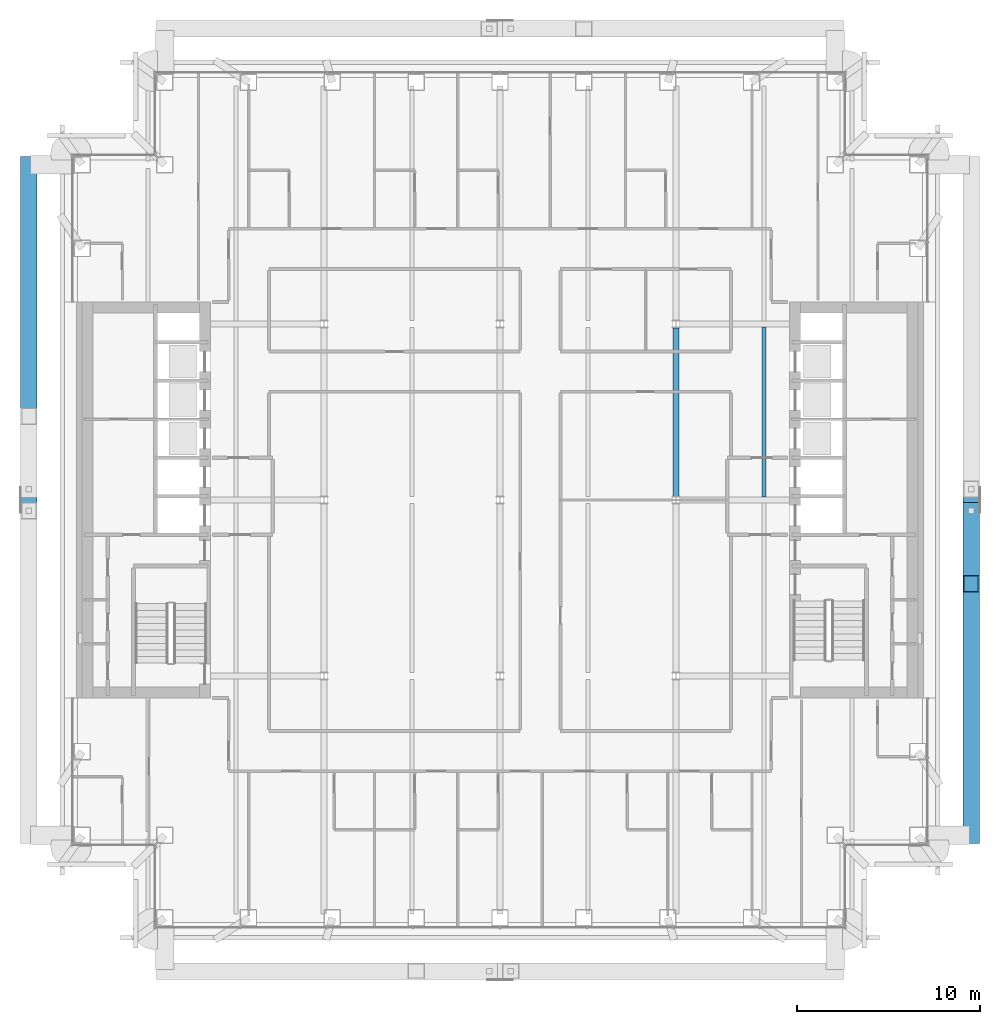
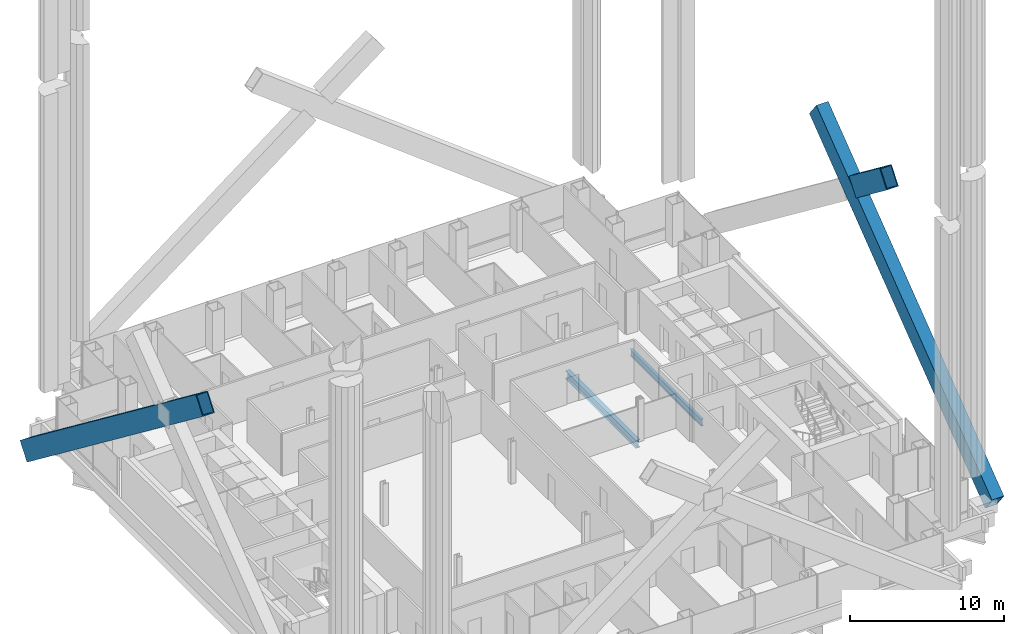
# One storey, part 6 of 22: 3 members, 2 beams.
"""IFC4 building model written with IfcOpenShell, lengths in metres."""

from ifc_helpers import new_model, si_unit, direction, frame, origin, origin_2d, place, context, subcontext, project, spatial, hollow_rectangle, i_section, extrude, material, material_profile, profile_set, type_object, element, save


model = new_model("IFC4")

# Units and contexts
model_context = context("Model", 3, precision=1e-05, world=origin(), true_north=direction((0.0, 1.0)))
body_context = subcontext(model_context, "Body", "Model", "MODEL_VIEW")
ifc_project = project(units=[si_unit("LENGTHUNIT", "METRE"), si_unit("AREAUNIT", "SQUARE_METRE"), si_unit("VOLUMEUNIT", "CUBIC_METRE"), si_unit("PLANEANGLEUNIT", "RADIAN"), si_unit("MASSUNIT", "GRAM", prefix="KILO")], contexts=[model_context])

# Site, building, storey
site_placement = place(None, origin())
site = spatial("IfcSite", under=ifc_project, at=site_placement, CompositionType="ELEMENT")
building_placement = place(site_placement, origin())
building = spatial("IfcBuilding", under=site, at=building_placement, Name="Cobrizo Arcos Hotel Tower", CompositionType="ELEMENT")
storey_placement = place(building_placement, frame((0.0, 0.0, 89.0)))
storey = spatial("IfcBuildingStorey", under=building, at=storey_placement, Name="L21", CompositionType="ELEMENT", Elevation=89.0)

# Members
ifc_material_1 = material(Name="Steel ASTM A572 Grade 50", Category="steel")
ifc_material_profile_1 = material_profile(ifc_material_1, hollow_rectangle(XDim=0.89990234375, YDim=1.5, WallThickness=0.06494140625, at=origin_2d()), Name="BOX 900X1500X65")
ifc_profile_set_1 = profile_set([ifc_material_profile_1], Name="Steel ASTM A572 Grade 50")
member_type = type_object("IfcMemberType", Name="BOX 900X1500X65 perimeter brace", PredefinedType="BRACE", material=ifc_profile_set_1)
for number, where, z_axis, x_axis, name in (
    (1, (25.699951171875, -18.300048828125, 0.5), (0.0, 0.794234626601, 0.607611189749), (-1.0, 0.0, 0.0), "Perimeter brace PBR2, zone Z2, east face, no. 00"),
    (2, (-25.699951171875, 18.300048828125, 0.5), (0.0, -0.794234626601, 0.607611189749), (1.0, 0.0, 0.0), "Perimeter brace PBR2, zone Z2, west face, no. 00"),
):
    element("IfcMember", number, at=place(storey_placement, frame(where, z_axis=z_axis, x_axis=x_axis)), inside=storey, type_object=member_type, Name=name, PredefinedType="BRACE", context=body_context, shape_type="SweptSolid", body=[
        extrude(hollow_rectangle(XDim=0.89990234375, YDim=1.5, WallThickness=0.06494140625, at=origin_2d()), origin(), (0.0, 0.0, 1.0), 28.80126953125),
    ])
member_placement = place(storey_placement, frame((25.699951171875, -0.59326171875, 14.953857421875), z_axis=(0.0, -0.794230645471, 0.607616393619), x_axis=(1.0, 0.0, 0.0)))
element("IfcMember", 3, at=member_placement, inside=storey, type_object=member_type, Name="Perimeter brace PBR2, zone Z2, east face, no. 01b", PredefinedType="BRACE", context=body_context, shape_type="SweptSolid", body=[
    extrude(hollow_rectangle(XDim=0.89990234375, YDim=1.5, WallThickness=0.06494140625, at=origin_2d()), origin(), (0.0, 0.0, 1.0), 5.01318359375),
])

# Beams
ifc_material_2 = material(Name="Steel ASTM A992 Grade 50", Category="steel")
ifc_material_profile_2 = material_profile(ifc_material_2, i_section(OverallWidth=0.209228515625, OverallDepth=0.533447265625, WebThickness=0.01025390625, FlangeThickness=0.015625, at=origin_2d()), Name="W21X62")
ifc_profile_set_2 = profile_set([ifc_material_profile_2], Name="Steel ASTM A992 Grade 50")
beam_type_1 = type_object("IfcBeamType", Name="W21X62 joist", PredefinedType="JOIST", material=ifc_profile_set_2)
beam_1_placement = place(storey_placement, frame((14.39990234375, 0.163818359375, -0.416748046875), z_axis=(0.0, 1.0, 0.0), x_axis=(-1.0, 0.0, 0.0)))
element("IfcBeam", 4, at=beam_1_placement, inside=storey, type_object=beam_type_1, Name="Floor joist J1, L21, no. 019", PredefinedType="JOIST", context=body_context, shape_type="SweptSolid", body=[
    extrude(i_section(OverallWidth=0.209228515625, OverallDepth=0.533447265625, WebThickness=0.01025390625, FlangeThickness=0.015625, at=origin_2d()), origin(), (0.0, 0.0, 1.0), 9.272216796875),
])
ifc_material_profile_3 = material_profile(ifc_material_2, i_section(OverallWidth=0.32763671875, OverallDepth=0.622314453125, WebThickness=0.015380859375, FlangeThickness=0.0244140625, at=origin_2d()), Name="W24X131")
ifc_profile_set_3 = profile_set([ifc_material_profile_3], Name="Steel ASTM A992 Grade 50")
beam_type_2 = type_object("IfcBeamType", Name="W24X131 girder", PredefinedType="BEAM", material=ifc_profile_set_3)
beam_2_placement = place(storey_placement, frame((9.60009765625, 0.204345703125, -0.461181640625), z_axis=(0.0, 1.0, 0.0), x_axis=(-1.0, 0.0, 0.0)))
element("IfcBeam", 5, at=beam_2_placement, inside=storey, type_object=beam_type_2, Name="Floor girder G1, L21, no. 017", PredefinedType="BEAM", context=body_context, shape_type="SweptSolid", body=[
    extrude(i_section(OverallWidth=0.32763671875, OverallDepth=0.622314453125, WebThickness=0.015380859375, FlangeThickness=0.0244140625, at=origin_2d()), origin(), (0.0, 0.0, 1.0), 9.191162109375),
])

save(model, "model.ifc")
